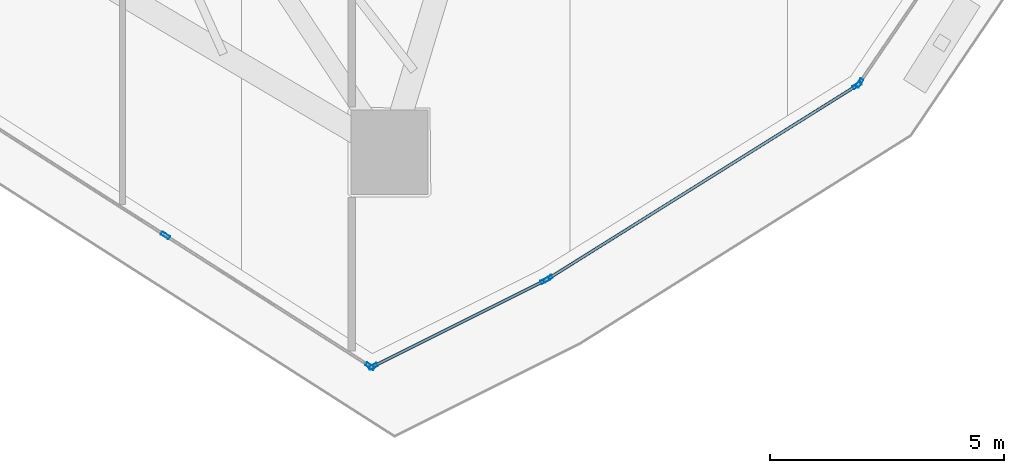
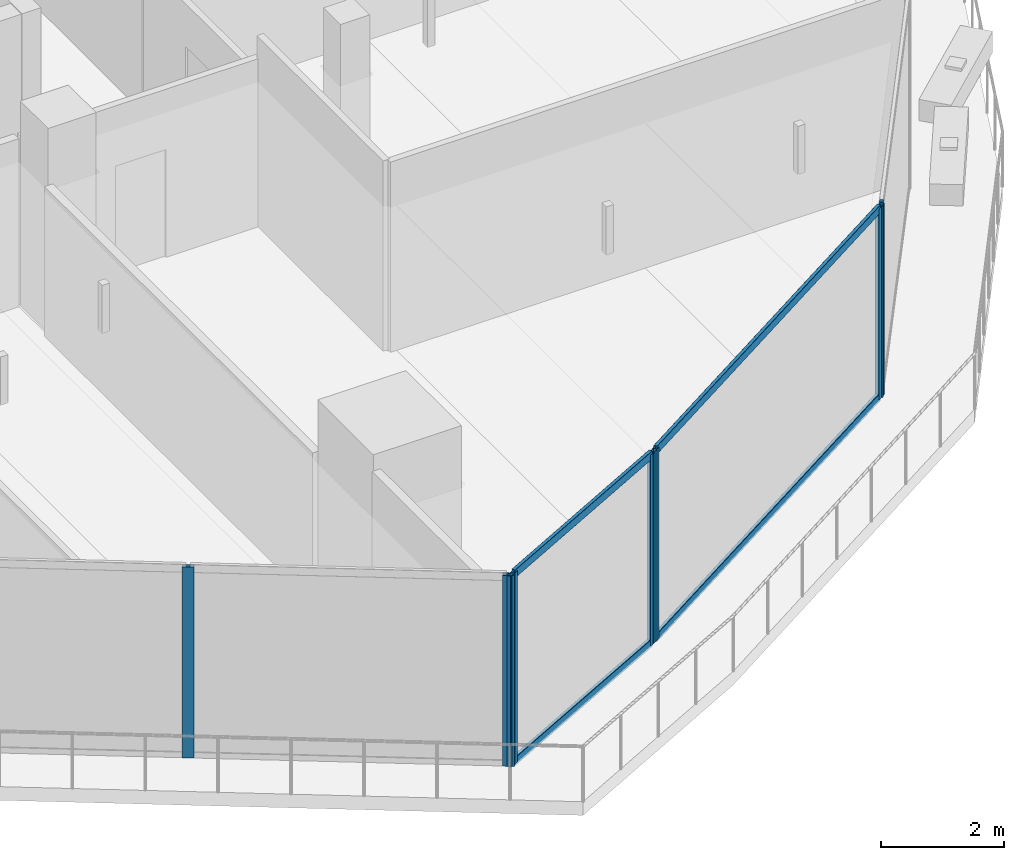
# One storey, part 7 of 32: 11 members, 4 elements without a shape of their own.
"""IFC4 building model written with IfcOpenShell, lengths in metres."""

from ifc_helpers import new_model, si_unit, direction, frame, origin, origin_2d, place, context, subcontext, project, spatial, hollow_rectangle, extrude, material, layer, layer_set, material_profile, profile_set, type_object, element, aggregate, save


model = new_model("IFC4")

# Units and contexts
model_context = context("Model", 3, precision=1e-05, world=origin(), true_north=direction((0.0, 1.0)))
body_context = subcontext(model_context, "Body", "Model", "MODEL_VIEW")
ifc_project = project(units=[si_unit("LENGTHUNIT", "METRE"), si_unit("AREAUNIT", "SQUARE_METRE"), si_unit("VOLUMEUNIT", "CUBIC_METRE"), si_unit("PLANEANGLEUNIT", "RADIAN"), si_unit("MASSUNIT", "GRAM", prefix="KILO")], contexts=[model_context])

# Site, building, storey
site_placement = place(None, origin())
site = spatial("IfcSite", under=ifc_project, at=site_placement, CompositionType="ELEMENT")
building_placement = place(site_placement, origin())
building = spatial("IfcBuilding", under=site, at=building_placement, Name="Qorvath Tower", CompositionType="ELEMENT")
storey_placement = place(building_placement, frame((0.0, 0.0, 233.39990234375)))
storey = spatial("IfcBuildingStorey", under=building, at=storey_placement, Name="L54", CompositionType="ELEMENT", Elevation=233.39990234375)

# Curtain wall, members
ifc_material_1 = material(Name="Anodised aluminium and triple low-E glass", Category="aluminium")
ifc_layer = layer(ifc_material_1, 0.179931640625)
ifc_layer_set = layer_set([ifc_layer], Name="CW-SYS-5")
curtain_wall_type = type_object("IfcCurtainWallType", Name="CW-SYS-5", PredefinedType="NOTDEFINED", material=ifc_layer_set)
curtain_wall_1_placement = place(storey_placement, origin())
curtain_wall_1 = element("IfcCurtainWall", 1, at=curtain_wall_1_placement, inside=storey, type_object=curtain_wall_type, Name="Curtain Wall CW-5 CW-T-L54-4.1", PredefinedType="NOTDEFINED")
ifc_material_2 = material(Name="Anodised aluminium 6063-T6", Category="aluminium")
ifc_material_profile_1 = material_profile(ifc_material_2, hollow_rectangle(XDim=0.074951171875, YDim=0.199951171875, WallThickness=0.00390625, InnerFilletRadius=0.00390625, OuterFilletRadius=0.008056640625, at=origin_2d()), Name="CWM 200x75")
ifc_profile_set_1 = profile_set([ifc_material_profile_1], Name="Anodised aluminium 6063-T6")
member_type_1 = type_object("IfcMemberType", Name="CWM-200", PredefinedType="MULLION", material=ifc_profile_set_1)
member_1_placement = place(storey_placement, frame((-21.671875, -23.407470703125, 0.0), z_axis=(0.0, 0.0, 1.0), x_axis=(0.538528188002, 0.842607495057, 0.0)))
member_1 = element("IfcMember", 2, at=member_1_placement, type_object=member_type_1, Name="CW-5 mullion 7", PredefinedType="MULLION", context=body_context, shape_type="SweptSolid", body=[
    extrude(hollow_rectangle(XDim=0.074951171875, YDim=0.199951171875, WallThickness=0.00390625, InnerFilletRadius=0.00390625, OuterFilletRadius=0.008056640625, at=origin_2d()), origin(), (0.0, 0.0, 1.0), 3.780029296875),
])
member_2_placement = place(storey_placement, frame((-17.288330078125, -26.208984375, 0.0), z_axis=(0.0, 0.0, 1.0), x_axis=(0.538528188002, 0.842607495057, 0.0)))
member_2 = element("IfcMember", 3, at=member_2_placement, type_object=member_type_1, Name="CW-5 mullion 8", PredefinedType="MULLION", context=body_context, shape_type="SweptSolid", body=[
    extrude(hollow_rectangle(XDim=0.074951171875, YDim=0.199951171875, WallThickness=0.00390625, InnerFilletRadius=0.00390625, OuterFilletRadius=0.008056640625, at=origin_2d()), origin(), (0.0, 0.0, 1.0), 3.780029296875),
])
aggregate(curtain_wall_1, [member_1, member_2])

curtain_wall_2_placement = place(storey_placement, origin())
curtain_wall_2 = element("IfcCurtainWall", 4, at=curtain_wall_2_placement, inside=storey, type_object=curtain_wall_type, Name="Curtain Wall CW-5 CW-T-L54-5.1", PredefinedType="NOTDEFINED")
member_3_placement = place(storey_placement, frame((-17.22314453125, -26.21240234375, 0.0), z_axis=(0.0, 0.0, 1.0), x_axis=(-0.447213595499, 0.894427191001, 0.0)))
member_3 = element("IfcMember", 5, at=member_3_placement, type_object=member_type_1, Name="CW-5 mullion 1", PredefinedType="MULLION", context=body_context, shape_type="SweptSolid", body=[
    extrude(hollow_rectangle(XDim=0.074951171875, YDim=0.199951171875, WallThickness=0.00390625, InnerFilletRadius=0.00390625, OuterFilletRadius=0.008056640625, at=origin_2d()), origin(), (0.0, 0.0, 1.0), 3.780029296875),
])
member_4_placement = place(storey_placement, frame((-13.54345703125, -24.37255859375, 0.0), z_axis=(0.0, 0.0, 1.0), x_axis=(-0.447213595499, 0.894427191001, 0.0)))
member_4 = element("IfcMember", 6, at=member_4_placement, type_object=member_type_1, Name="CW-5 mullion 2", PredefinedType="MULLION", context=body_context, shape_type="SweptSolid", body=[
    extrude(hollow_rectangle(XDim=0.074951171875, YDim=0.199951171875, WallThickness=0.00390625, InnerFilletRadius=0.00390625, OuterFilletRadius=0.008056640625, at=origin_2d()), origin(), (0.0, 0.0, 1.0), 3.780029296875),
])

curtain_wall_3_placement = place(storey_placement, origin())
curtain_wall_3 = element("IfcCurtainWall", 7, at=curtain_wall_3_placement, inside=storey, type_object=curtain_wall_type, Name="Curtain Wall CW-5 CW-T-L54-6.1", PredefinedType="NOTDEFINED")
member_5_placement = place(storey_placement, frame((-13.47802734375, -24.335693359375, 0.0), z_axis=(0.0, 0.0, 1.0), x_axis=(-0.530497446671, 0.847686533499, 0.0)))
member_5 = element("IfcMember", 8, at=member_5_placement, type_object=member_type_1, Name="CW-5 mullion 1", PredefinedType="MULLION", context=body_context, shape_type="SweptSolid", body=[
    extrude(hollow_rectangle(XDim=0.074951171875, YDim=0.199951171875, WallThickness=0.00390625, InnerFilletRadius=0.00390625, OuterFilletRadius=0.008056640625, at=origin_2d()), origin(), (0.0, 0.0, 1.0), 3.780029296875),
])
member_6_placement = place(storey_placement, frame((-6.86328125, -20.1962890625, 0.0), z_axis=(0.0, 0.0, 1.0), x_axis=(-0.530497446671, 0.847686533499, 0.0)))
member_6 = element("IfcMember", 9, at=member_6_placement, type_object=member_type_1, Name="CW-5 mullion 2", PredefinedType="MULLION", context=body_context, shape_type="SweptSolid", body=[
    extrude(hollow_rectangle(XDim=0.074951171875, YDim=0.199951171875, WallThickness=0.00390625, InnerFilletRadius=0.00390625, OuterFilletRadius=0.008056640625, at=origin_2d()), origin(), (0.0, 0.0, 1.0), 3.780029296875),
])

# Curtain wall, member
curtain_wall_4_placement = place(storey_placement, origin())
curtain_wall_4 = element("IfcCurtainWall", 10, at=curtain_wall_4_placement, inside=storey, type_object=curtain_wall_type, Name="Curtain Wall CW-5 CW-T-L54-7.1", PredefinedType="NOTDEFINED")
member_7_placement = place(storey_placement, frame((-6.810302734375, -20.145263671875, 0.0), z_axis=(0.0, 0.0, 1.0), x_axis=(-0.826473596685, 0.562975482577, 0.0)))
member_7 = element("IfcMember", 11, at=member_7_placement, type_object=member_type_1, Name="CW-5 mullion 1", PredefinedType="MULLION", context=body_context, shape_type="SweptSolid", body=[
    extrude(hollow_rectangle(XDim=0.074951171875, YDim=0.199951171875, WallThickness=0.00390625, InnerFilletRadius=0.00390625, OuterFilletRadius=0.008056640625, at=origin_2d()), origin(), (0.0, 0.0, 1.0), 3.780029296875),
])
aggregate(curtain_wall_4, [member_7])

# Member
ifc_material_3 = material(Name="Anodised aluminium 6063-T6", Category="aluminium")
ifc_material_profile_2 = material_profile(ifc_material_3, hollow_rectangle(XDim=0.06494140625, YDim=0.159912109375, WallThickness=0.00341796875, InnerFilletRadius=0.00341796875, OuterFilletRadius=0.007080078125, at=origin_2d()), Name="CWT 160x65")
ifc_profile_set_2 = profile_set([ifc_material_profile_2], Name="Anodised aluminium 6063-T6")
member_type_2 = type_object("IfcMemberType", Name="CWT-160", PredefinedType="USERDEFINED", material=ifc_profile_set_2)
member_8_placement = place(storey_placement, frame((-17.189697265625, -26.195556640625, 0.032470703125), z_axis=(0.894427191, 0.4472135955, 0.0), x_axis=(-0.4472135955, 0.894427191, 0.0)))
member_8 = element("IfcMember", 12, at=member_8_placement, type_object=member_type_2, Name="CW-5 transom 1.1", ObjectType="TRANSOM", PredefinedType="USERDEFINED", context=body_context, shape_type="SweptSolid", body=[
    extrude(hollow_rectangle(XDim=0.06494140625, YDim=0.159912109375, WallThickness=0.00341796875, InnerFilletRadius=0.00341796875, OuterFilletRadius=0.007080078125, at=origin_2d()), origin(), (0.0, 0.0, 1.0), 4.039306640625),
])

member_9_placement = place(storey_placement, frame((-17.189697265625, -26.195556640625, 3.74755859375), z_axis=(0.894427191, 0.4472135955, 0.0), x_axis=(-0.4472135955, 0.894427191, 0.0)))
member_9 = element("IfcMember", 13, at=member_9_placement, type_object=member_type_2, Name="CW-5 transom 1.2", ObjectType="TRANSOM", PredefinedType="USERDEFINED", context=body_context, shape_type="SweptSolid", body=[
    extrude(hollow_rectangle(XDim=0.06494140625, YDim=0.159912109375, WallThickness=0.00341796875, InnerFilletRadius=0.00341796875, OuterFilletRadius=0.007080078125, at=origin_2d()), origin(), (0.0, 0.0, 1.0), 4.039306640625),
])

aggregate(curtain_wall_2, [member_3, member_4, member_8, member_9])

member_10_placement = place(storey_placement, frame((-13.4462890625, -24.31591796875, 0.032470703125), z_axis=(0.847689357742, 0.530492933762, 0.0), x_axis=(-0.530492933762, 0.847689357742, 0.0)))
member_10 = element("IfcMember", 14, at=member_10_placement, type_object=member_type_2, Name="CW-5 transom 1.1", ObjectType="TRANSOM", PredefinedType="USERDEFINED", context=body_context, shape_type="SweptSolid", body=[
    extrude(hollow_rectangle(XDim=0.06494140625, YDim=0.159912109375, WallThickness=0.00341796875, InnerFilletRadius=0.00341796875, OuterFilletRadius=0.007080078125, at=origin_2d()), origin(), (0.0, 0.0, 1.0), 7.728271484375),
])

member_11_placement = place(storey_placement, frame((-13.4462890625, -24.31591796875, 3.74755859375), z_axis=(0.847689357742, 0.530492933762, 0.0), x_axis=(-0.530492933762, 0.847689357742, 0.0)))
member_11 = element("IfcMember", 15, at=member_11_placement, type_object=member_type_2, Name="CW-5 transom 1.2", ObjectType="TRANSOM", PredefinedType="USERDEFINED", context=body_context, shape_type="SweptSolid", body=[
    extrude(hollow_rectangle(XDim=0.06494140625, YDim=0.159912109375, WallThickness=0.00341796875, InnerFilletRadius=0.00341796875, OuterFilletRadius=0.007080078125, at=origin_2d()), origin(), (0.0, 0.0, 1.0), 7.728271484375),
])

aggregate(curtain_wall_3, [member_5, member_6, member_10, member_11])

save(model, "model.ifc")
